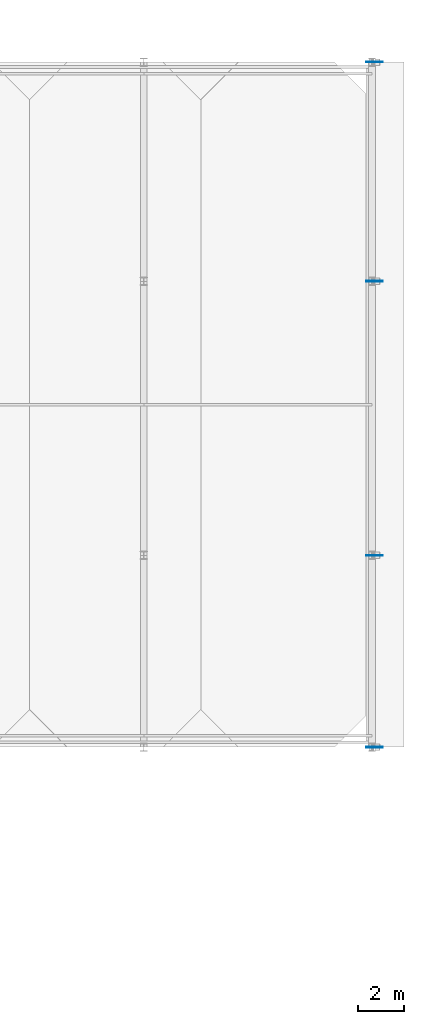
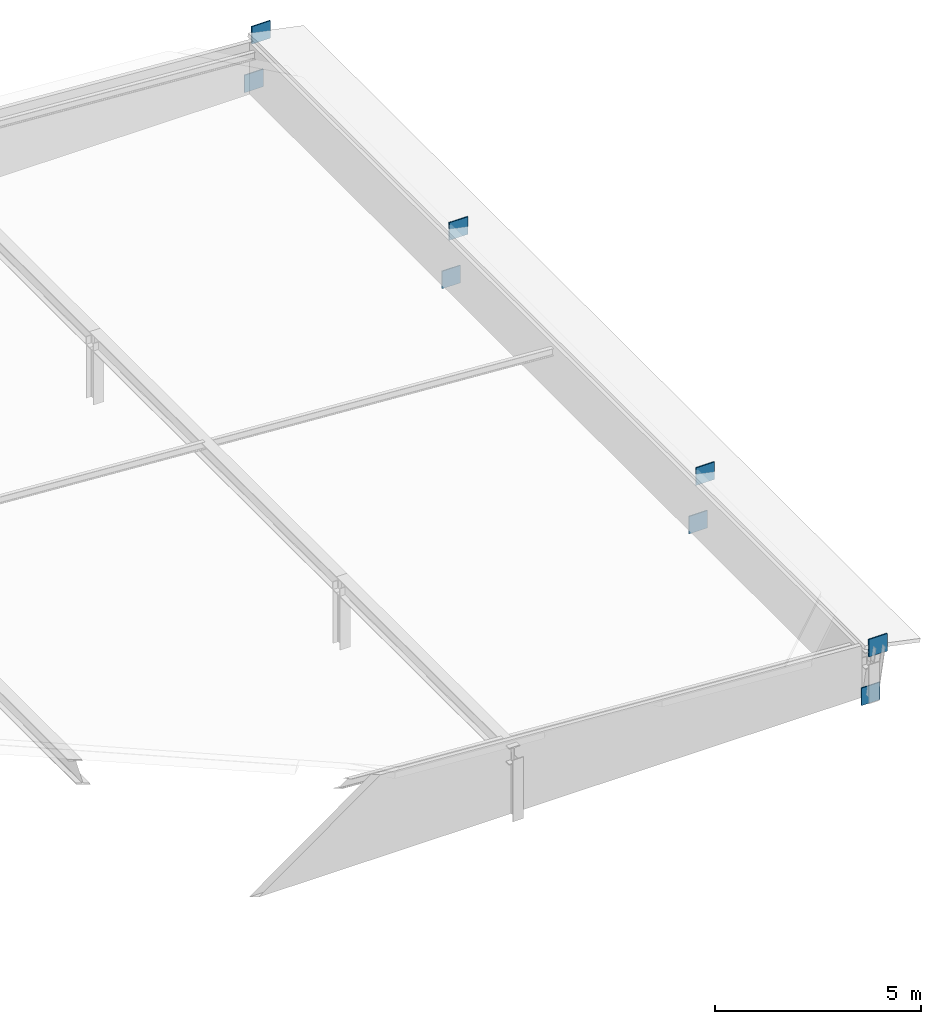
# One storey, part 56 of 79: 8 plates.
"""IFC4 building model written with IfcOpenShell, lengths in metres."""

from ifc_helpers import new_model, si_unit, direction, frame, origin, origin_2d, place, context, subcontext, project, spatial, rectangle, extrude, material, layer, layer_set, type_object, element, save


model = new_model("IFC4")

# Units and contexts
model_context = context("Model", 3, precision=1e-05, world=origin(), true_north=direction((0.0, 1.0)))
body_context = subcontext(model_context, "Body", "Model", "MODEL_VIEW")
ifc_project = project(units=[si_unit("LENGTHUNIT", "METRE"), si_unit("AREAUNIT", "SQUARE_METRE"), si_unit("VOLUMEUNIT", "CUBIC_METRE"), si_unit("PLANEANGLEUNIT", "RADIAN"), si_unit("MASSUNIT", "GRAM", prefix="KILO")], contexts=[model_context])

# Site, building, storey
site_placement = place(None, origin())
site = spatial("IfcSite", under=ifc_project, at=site_placement, CompositionType="ELEMENT")
building_placement = place(site_placement, origin())
building = spatial("IfcBuilding", under=site, at=building_placement, Name="Zereglee Splitstone Museum", CompositionType="ELEMENT")
storey_placement = place(building_placement, frame((0.0, 0.0, 9.0)))
storey = spatial("IfcBuildingStorey", under=building, at=storey_placement, Name="L02", CompositionType="ELEMENT", Elevation=9.0)

# Plates
ifc_material = material(Name="Steel S355J2", Category="steel")
ifc_layer = layer(ifc_material, 0.030029296875)
ifc_layer_set = layer_set([ifc_layer], Name="Steel S355J2")
plate_type = type_object("IfcPlateType", Name="NP-04", PredefinedType="SHEET", material=ifc_layer_set)
for number, where, z_axis, x_axis, name in (
    (1, (326.0, 30.0, -0.110107421875), (0.0, 0.0, 1.0), (1.0, 0.0, 0.0), "Chhajja Corbel Gusset Plate RF-V6"),
    (2, (326.199951171875, 30.0, 1.260009765625), (0.0, 0.0, 1.0), (1.0, 0.0, 0.0), "Chhajja Corbel Gusset Plate RF-V6"),
    (3, (326.0, 38.39990234375, -0.110107421875), (0.0, 0.0, 1.0), (1.0, 0.0, 0.0), "Chhajja Corbel Gusset Plate RF-V6"),
    (4, (326.199951171875, 38.39990234375, 1.260009765625), (0.0, 0.0, 1.0), (1.0, 0.0, 0.0), "Chhajja Corbel Gusset Plate RF-V6"),
    (5, (326.0, 50.39990234375, -0.110107421875), (0.0, 0.0, 1.0), (1.0, 0.0, 0.0), "Chhajja Corbel Gusset Plate RF-V6"),
    (6, (326.199951171875, 50.39990234375, 1.260009765625), (0.0, 0.0, 1.0), (1.0, 0.0, 0.0), "Chhajja Corbel Gusset Plate RF-V6"),
    (7, (326.0, 60.0, -0.110107421875), (0.0, 0.0, 1.0), (1.0, 0.0, 0.0), "Chhajja Corbel Gusset Plate RF-V6"),
    (8, (326.199951171875, 60.0, 1.260009765625), (0.0, 0.0, 1.0), (1.0, 0.0, 0.0), "Chhajja Corbel Gusset Plate RF-V6"),
):
    element("IfcPlate", number, at=place(storey_placement, frame(where, z_axis=z_axis, x_axis=x_axis)), inside=storey, type_object=plate_type, Name=name, PredefinedType="SHEET", context=body_context, shape_type="SweptSolid", body=[
        extrude(rectangle(XDim=0.52001953125, YDim=0.030029296875, at=origin_2d()), origin(), (0.0, 0.0, 1.0), 0.52001953125),
    ])

save(model, "model.ifc")
